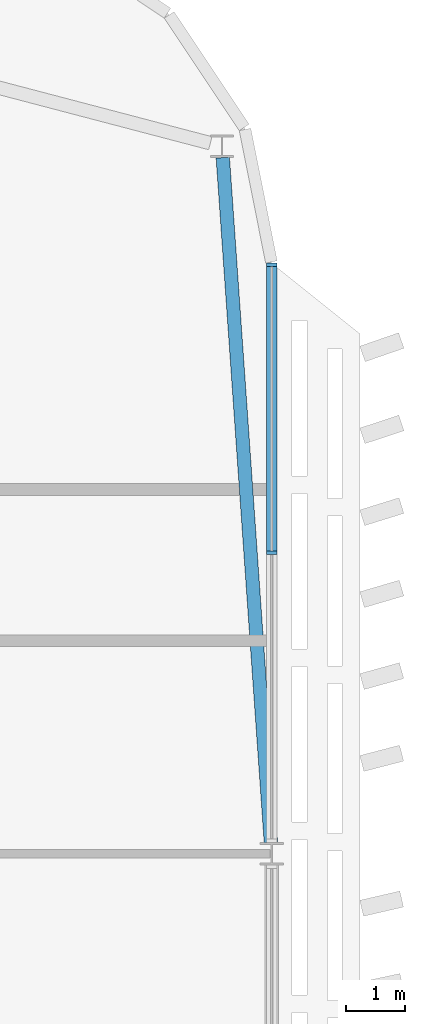
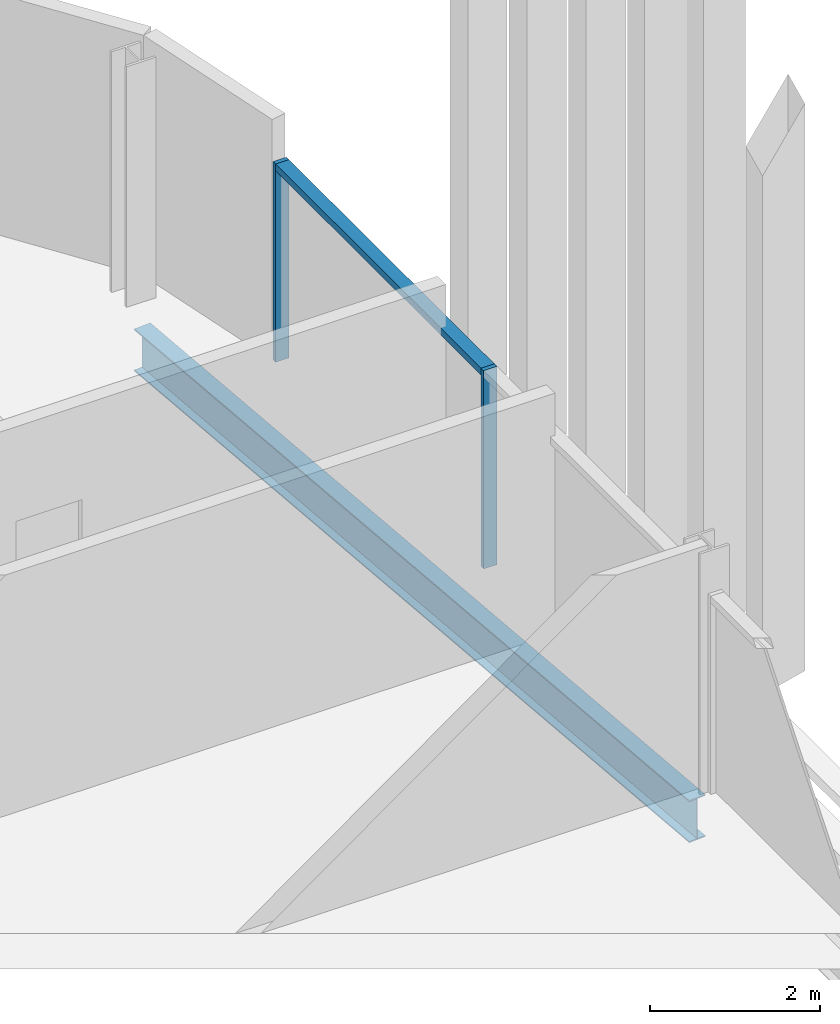
# One storey, part 14 of 32: 3 members, 1 beam, 1 element without a shape of its own.
"""IFC4 building model written with IfcOpenShell, lengths in metres."""

import ifcopenshell
import ifcopenshell.guid

model = None  # the IFC model being written
_history = None  # IfcOwnerHistory: only IFC2X3 demands one
_inside = {}  # id of a spatial element -> (the spatial element, [elements in it])
_under = {}  # id of a project, library or spatial element -> (it, [spatial elements below it])
_declared = {}  # id of a project -> (the project, [libraries it declares])
_typed = {}  # id of a type object -> (the type object, [elements of that type])
_made_of = {}  # id of a material, layer set ... -> (it, [elements and type objects made of it])


def new_model(schema):
    """Start an empty IFC model of exactly this schema.

    Asked for "IFC4X3", IfcOpenShell would pick the latest addendum, in which some entities
    have other attributes; the version numbers below select the first issue.
    IFC2X3 requires an IfcOwnerHistory on every rooted entity: one is made here for all.
    """
    global model, _history
    if schema == "IFC4X3":
        model = ifcopenshell.file(schema_version=(4, 3, 0, 0))
    else:
        model = ifcopenshell.file(schema=schema)
    _inside.clear()
    _under.clear()
    _declared.clear()
    _typed.clear()
    _made_of.clear()
    _history = None
    if model.schema == "IFC2X3":
        org = make("IfcOrganization", Name="unknown")
        user = make(
            "IfcPersonAndOrganization",
            ThePerson=make("IfcPerson", FamilyName="unknown"),
            TheOrganization=org,
        )
        app = make(
            "IfcApplication",
            ApplicationDeveloper=org,
            Version="unknown",
            ApplicationFullName="unknown",
            ApplicationIdentifier="unknown",
        )
        _history = make(
            "IfcOwnerHistory",
            OwningUser=user,
            OwningApplication=app,
            ChangeAction="ADDED",
            CreationDate=0,
        )
    return model


def make(cls, **values):
    """One entity of the class cls with the attributes given. An attribute that is None is left unset."""
    return model.create_entity(
        cls, **{name: value for name, value in values.items() if value is not None}
    )


def rooted(cls, **values):
    """An entity with a GlobalId (a new one), such as an element, a storey or a relation."""
    return make(cls, GlobalId=ifcopenshell.guid.new(), OwnerHistory=_history, **values)


def si_unit(unit_type, name, prefix=None):
    """IfcSIUnit, for example si_unit("LENGTHUNIT", "METRE", prefix="MILLI")."""
    return make("IfcSIUnit", UnitType=unit_type, Prefix=prefix, Name=name)


def assignment(units):
    """IfcUnitAssignment: the units of a project."""
    return None if units is None else make("IfcUnitAssignment", Units=units)


def point(xyz):
    """IfcCartesianPoint."""
    return None if xyz is None else make("IfcCartesianPoint", Coordinates=xyz)


def direction(xyz):
    """IfcDirection."""
    return None if xyz is None else make("IfcDirection", DirectionRatios=xyz)


def frame(location, z_axis=None, x_axis=None):
    """IfcAxis2Placement3D, a coordinate frame: its origin and axes. An axis left out is left unset."""
    return make(
        "IfcAxis2Placement3D",
        Location=point(location),
        Axis=direction(z_axis),
        RefDirection=direction(x_axis),
    )


def frame_2d(location, x_axis=None):
    """IfcAxis2Placement2D, a coordinate frame in the plane: its origin and x axis."""
    return make(
        "IfcAxis2Placement2D", Location=point(location), RefDirection=direction(x_axis)
    )


def origin():
    """The frame at (0, 0, 0) with its axes left unset."""
    return frame((0.0, 0.0, 0.0))


def origin_2d():
    """The frame at (0, 0) in the plane with its x axis left unset."""
    return frame_2d((0.0, 0.0))


def place(relative_to, where):
    """IfcLocalPlacement: puts the frame where relative to a parent placement (None: the world)."""
    return make(
        "IfcLocalPlacement", PlacementRelTo=relative_to, RelativePlacement=where
    )


def context(
    kind, dimensions, precision=None, world=None, true_north=None, identifier=None
):
    """IfcGeometricRepresentationContext, for example the 3D "Model" context."""
    return make(
        "IfcGeometricRepresentationContext",
        ContextIdentifier=identifier,
        ContextType=kind,
        CoordinateSpaceDimension=dimensions,
        Precision=precision,
        WorldCoordinateSystem=world,
        TrueNorth=true_north,
    )


def subcontext(parent, identifier, kind, view, scale=None):
    """IfcGeometricRepresentationSubContext, for example "Body" below "Model"."""
    return make(
        "IfcGeometricRepresentationSubContext",
        ContextIdentifier=identifier,
        ContextType=kind,
        ParentContext=parent,
        TargetScale=scale,
        TargetView=view,
    )


def project(units=None, contexts=None):
    """IfcProject with its units and contexts."""
    return rooted(
        "IfcProject",
        Name="project",
        RepresentationContexts=contexts,
        UnitsInContext=assignment(units),
    )


def spatial(cls, under=None, at=None, **own):
    """A site, building, storey or space (cls), placed at a placement, below another one or the project."""
    s = rooted(cls, ObjectPlacement=at, **own)
    if under is not None:
        _under.setdefault(under.id(), (under, []))[1].append(s)
    return s


def profile(cls, at=None, kind="AREA", **sizes):
    """A parametric profile (cls). Its sizes go by their IFC names, for example OverallWidth=200.0."""
    return make(cls, ProfileType=kind, Position=at, **sizes)


def rectangle(**sizes):
    """IfcRectangleProfileDef."""
    return profile("IfcRectangleProfileDef", **sizes)


def i_section(**sizes):
    """IfcIShapeProfileDef."""
    return profile("IfcIShapeProfileDef", **sizes)


def extrude(swept, where, along, depth):
    """IfcExtrudedAreaSolid: the profile swept, set in the frame where, extruded along a direction by depth."""
    return make(
        "IfcExtrudedAreaSolid",
        SweptArea=swept,
        Position=where,
        ExtrudedDirection=direction(along),
        Depth=depth,
    )


def shape(context_of_items, identifier, shape_type, items):
    """IfcShapeRepresentation: the items that make up one representation, for example the "Body"."""
    return make(
        "IfcShapeRepresentation",
        ContextOfItems=context_of_items,
        RepresentationIdentifier=identifier,
        RepresentationType=shape_type,
        Items=items,
    )


def material(Name=None, Category=None):
    """IfcMaterial."""
    return make("IfcMaterial", Name=Name, Category=Category)


def material_profile(
    of_material, cross_section, Name=None, Category=None, Priority=None
):
    """IfcMaterialProfile: a cross section and its material."""
    return make(
        "IfcMaterialProfile",
        Name=Name,
        Material=of_material,
        Profile=cross_section,
        Priority=Priority,
        Category=Category,
    )


def profile_set(profiles, Name=None, composite=None):
    """IfcMaterialProfileSet."""
    return make(
        "IfcMaterialProfileSet",
        Name=Name,
        MaterialProfiles=profiles,
        CompositeProfile=composite,
    )


def made_of(thing, what):
    """Note that an element or type object is made of a material, layer set ...; save() writes the relation."""
    if what is not None:
        _made_of.setdefault(what.id(), (what, []))[1].append(thing)
    return thing


def type_object(cls, material=None, **own):
    """A type object (cls), such as IfcWallType, which elements share."""
    return made_of(rooted(cls, **own), material)


def element(
    cls,
    number,
    at=None,
    inside=None,
    cuts=None,
    type_object=None,
    material=None,
    context=None,
    identifier="Body",
    shape_type=None,
    held_by="IfcProductDefinitionShape",
    body=None,
    shapes=None,
    **own,
):
    """One element of the class cls, such as IfcWall. Its Tag is "e" and its number.

    at: its placement. inside: the storey or other place that contains it. cuts: it is an
    opening in that element (IfcRelVoidsElement). A single representation is given by context,
    identifier, shape_type and body (its items); several are given by shapes. held_by: the class
    of the entity that holds the representations. save() writes the other relations.
    """
    e = rooted(cls, Tag="e%d" % number, ObjectPlacement=at, **own)
    if body is not None:
        shapes = [shape(context, identifier, shape_type, body)]
    if shapes is not None:
        e.Representation = make(held_by, Representations=shapes)
    if inside is not None:
        _inside.setdefault(inside.id(), (inside, []))[1].append(e)
    if cuts is not None:
        rooted(
            "IfcRelVoidsElement", RelatingBuildingElement=cuts, RelatedOpeningElement=e
        )
    if type_object is not None:
        _typed.setdefault(type_object.id(), (type_object, []))[1].append(e)
    return made_of(e, material)


def aggregate(whole, parts):
    """IfcRelAggregates: a whole, such as a stair, and the parts it consists of."""
    return rooted("IfcRelAggregates", RelatingObject=whole, RelatedObjects=parts)


def save(model, path):
    """Write the relations noted so far, then the file.

    IfcRelAggregates (storeys below a building ...), IfcRelContainedInSpatialStructure (elements
    in a storey), IfcRelDefinesByType, IfcRelAssociatesMaterial and IfcRelDeclares: one each for
    every whole, place, type object, material and project.
    """
    for whole, parts in _under.values():
        aggregate(whole, parts)
    for where, things in _inside.values():
        rooted(
            "IfcRelContainedInSpatialStructure",
            RelatedElements=things,
            RelatingStructure=where,
        )
    for kind, things in _typed.values():
        rooted("IfcRelDefinesByType", RelatedObjects=things, RelatingType=kind)
    for what, things in _made_of.values():
        rooted("IfcRelAssociatesMaterial", RelatedObjects=things, RelatingMaterial=what)
    for by, libraries in _declared.values():
        rooted("IfcRelDeclares", RelatingContext=by, RelatedDefinitions=libraries)
    model.write(path)


model = new_model("IFC4")

# Units and contexts
model_context = context("Model", 3, precision=1e-05, world=origin(), true_north=direction((0.0, 1.0)))
body_context = subcontext(model_context, "Body", "Model", "MODEL_VIEW")
ifc_project = project(units=[si_unit("LENGTHUNIT", "METRE"), si_unit("AREAUNIT", "SQUARE_METRE"), si_unit("VOLUMEUNIT", "CUBIC_METRE"), si_unit("PLANEANGLEUNIT", "RADIAN"), si_unit("MASSUNIT", "GRAM", prefix="KILO")], contexts=[model_context])

# Site, building, storey
site_placement = place(None, origin())
site = spatial("IfcSite", under=ifc_project, at=site_placement, CompositionType="ELEMENT")
building_placement = place(site_placement, origin())
building = spatial("IfcBuilding", under=site, at=building_placement, Name="Mahtab Terrace Research Tower", CompositionType="ELEMENT")
storey_placement = place(building_placement, frame((0.0, 0.0, 243.800048828125)))
storey = spatial("IfcBuildingStorey", under=building, at=storey_placement, Name="L59", CompositionType="ELEMENT", Elevation=243.800048828125)

# Curtain wall, members
ifc_material_1 = material(Name="Office ribbon curtain wall")
curtain_wall_type = type_object("IfcCurtainWallType", Name="Office ribbon curtain wall", PredefinedType="NOTDEFINED", material=ifc_material_1)
curtain_wall_placement = place(storey_placement, origin())
curtain_wall = element("IfcCurtainWall", 1, at=curtain_wall_placement, inside=storey, type_object=curtain_wall_type, Name="EN.L59.18.22", PredefinedType="NOTDEFINED")
ifc_material_2 = material(Name="Natural anodised aluminium", Category="aluminium")
ifc_material_profile_1 = material_profile(ifc_material_2, rectangle(XDim=0.179931640625, YDim=0.06005859375, at=origin_2d()), Name="MULLION 60x180")
ifc_profile_set_1 = profile_set([ifc_material_profile_1], Name="Natural anodised aluminium")
member_type_1 = type_object("IfcMemberType", Name="Office ribbon curtain wall mullion", PredefinedType="MULLION", material=ifc_profile_set_1)
member_1_placement = place(storey_placement, frame((54.0, 16.62451171875, 0.0), z_axis=(0.0, 0.0, 1.0), x_axis=(-1.0, 0.0, 0.0)))
member_1 = element("IfcMember", 2, at=member_1_placement, type_object=member_type_1, Name="CWO-7 mullion 2", PredefinedType="MULLION", context=body_context, shape_type="SweptSolid", body=[
    extrude(rectangle(XDim=0.179931640625, YDim=0.06005859375, at=origin_2d()), origin(), (0.0, 0.0, 1.0), 2.852783203125),
])
member_2_placement = place(storey_placement, frame((54.0, 21.52587890625, 0.0), z_axis=(0.0, 0.0, 1.0), x_axis=(-1.0, 0.0, 0.0)))
member_2 = element("IfcMember", 3, at=member_2_placement, type_object=member_type_1, Name="CWO-7 mullion 3", PredefinedType="MULLION", context=body_context, shape_type="SweptSolid", body=[
    extrude(rectangle(XDim=0.179931640625, YDim=0.06005859375, at=origin_2d()), origin(), (0.0, 0.0, 1.0), 2.852783203125),
])
ifc_material_profile_2 = material_profile(ifc_material_2, rectangle(XDim=0.179931640625, YDim=0.10009765625, at=origin_2d()), Name="TRANSOM 100x180")
ifc_profile_set_2 = profile_set([ifc_material_profile_2], Name="Natural anodised aluminium")
member_type_2 = type_object("IfcMemberType", Name="Office ribbon curtain wall transom", PredefinedType="USERDEFINED", material=ifc_profile_set_2)
member_3_placement = place(storey_placement, frame((54.0, 16.654541015625, 2.802734375), z_axis=(0.0, 1.0, 0.0), x_axis=(-1.0, 0.0, 0.0)))
member_3 = element("IfcMember", 4, at=member_3_placement, type_object=member_type_2, Name="CWO-7 transom 2", ObjectType="TRANSOM", PredefinedType="USERDEFINED", context=body_context, shape_type="SweptSolid", body=[
    extrude(rectangle(XDim=0.179931640625, YDim=0.10009765625, at=origin_2d()), origin(), (0.0, 0.0, 1.0), 4.841552734375),
])
aggregate(curtain_wall, [member_1, member_2, member_3])

# Beam
ifc_material_3 = material(Name="Steel ASTM A992 Gr 50", Category="steel")
ifc_material_profile_3 = material_profile(ifc_material_3, i_section(OverallWidth=0.228271484375, OverallDepth=0.607177734375, WebThickness=0.01123046875, FlangeThickness=0.017333984375, at=origin_2d()), Name="W24X76")
ifc_profile_set_3 = profile_set([ifc_material_profile_3], Name="Steel ASTM A992 Gr 50")
beam_type = type_object("IfcBeamType", Name="W24x76 beam BS2476", PredefinedType="BEAM", material=ifc_profile_set_3)
beam_placement = place(storey_placement, frame((53.986328125, 11.693115234375, -0.6435546875), z_axis=(-0.070055060722, 0.997543126119, 0.0), x_axis=(-0.997543126119, -0.070055060722, 0.0)))
element("IfcBeam", 5, at=beam_placement, inside=storey, type_object=beam_type, Name="Spandrel beam L59 22", PredefinedType="BEAM", context=body_context, shape_type="SweptSolid", body=[
    extrude(i_section(OverallWidth=0.228271484375, OverallDepth=0.607177734375, WebThickness=0.01123046875, FlangeThickness=0.017333984375, at=origin_2d()), origin(), (0.0, 0.0, 1.0), 11.688720703125),
])

save(model, "model.ifc")
